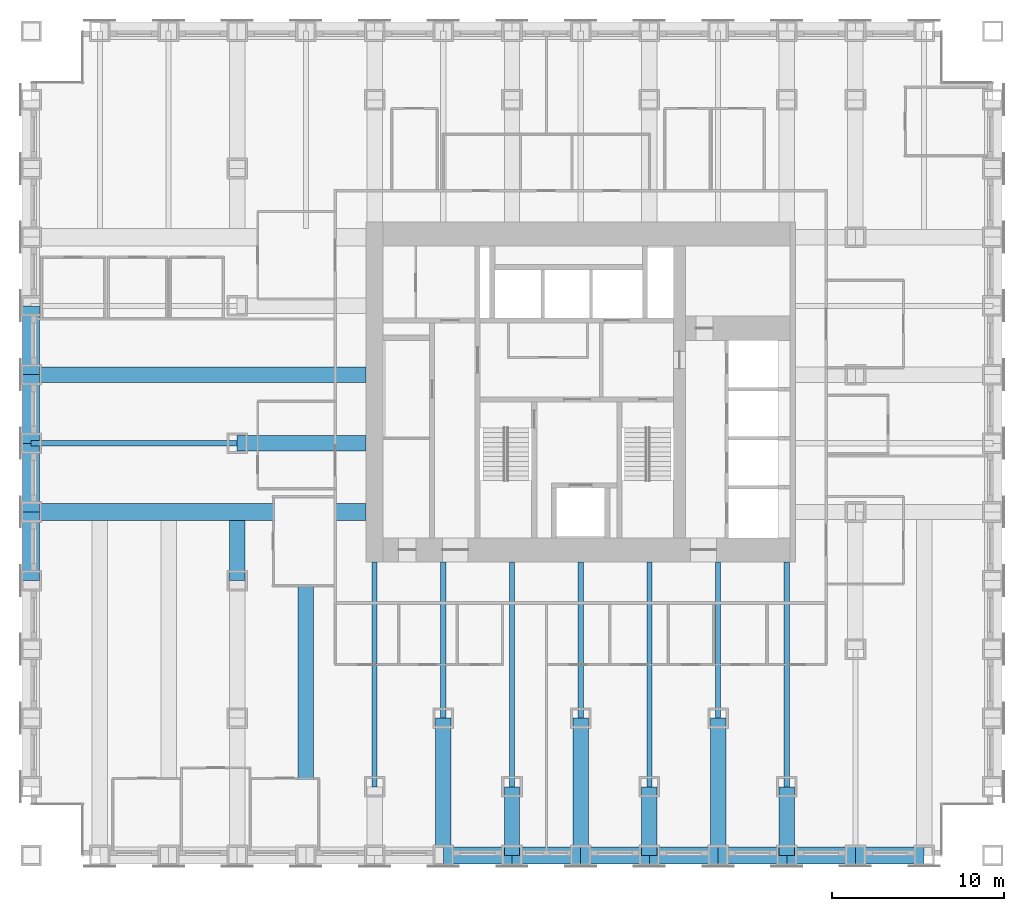
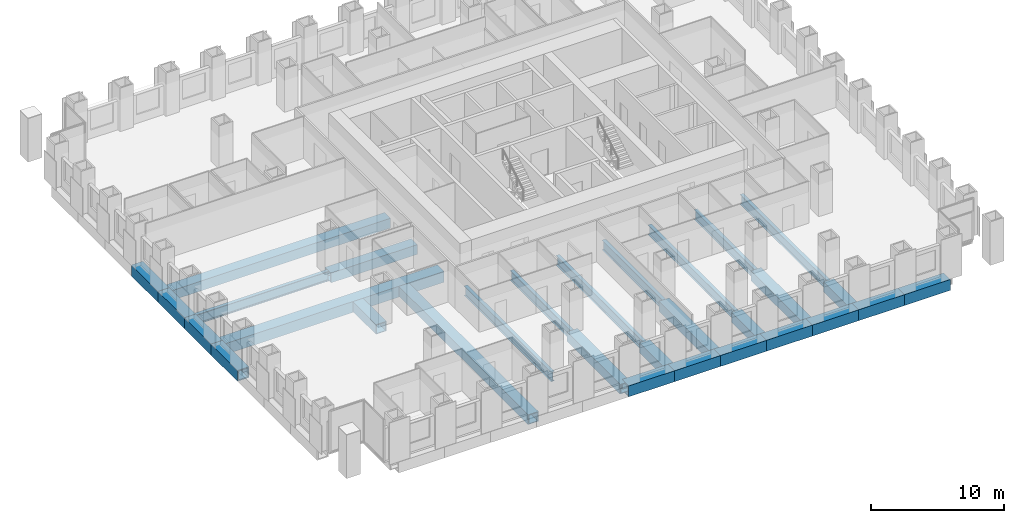
# One storey, part 3 of 15: 30 beams.
"""IFC4 building model written with IfcOpenShell, lengths in metres."""

from ifc_helpers import new_model, si_unit, direction, frame, origin, origin_2d, place, context, subcontext, project, spatial, hollow_rectangle, i_section, extrude, material, material_profile, profile_set, type_object, element, save


model = new_model("IFC4")

# Units and contexts
model_context = context("Model", 3, precision=1e-05, world=origin(), true_north=direction((0.0, 1.0)))
body_context = subcontext(model_context, "Body", "Model", "MODEL_VIEW")
ifc_project = project(units=[si_unit("LENGTHUNIT", "METRE"), si_unit("AREAUNIT", "SQUARE_METRE"), si_unit("VOLUMEUNIT", "CUBIC_METRE"), si_unit("PLANEANGLEUNIT", "RADIAN"), si_unit("MASSUNIT", "GRAM", prefix="KILO")], contexts=[model_context])

# Site, building, storey
site_placement = place(None, origin())
site = spatial("IfcSite", under=ifc_project, at=site_placement, CompositionType="ELEMENT")
building_placement = place(site_placement, origin())
building = spatial("IfcBuilding", under=site, at=building_placement, Name="Rimbunsela Tower", CompositionType="ELEMENT")
storey_placement = place(building_placement, frame((0.0, 0.0, 67.0)))
storey = spatial("IfcBuildingStorey", under=building, at=storey_placement, Name="L16", CompositionType="ELEMENT", Elevation=67.0)

# Beams
ifc_material_1 = material(Name="Steel BJ 55 (fy 410 MPa)", Category="steel")
ifc_material_profile_1 = material_profile(ifc_material_1, hollow_rectangle(XDim=1.0, YDim=1.0, WallThickness=0.10009765625, at=origin_2d()), Name="BOX 1000x1000x100")
ifc_profile_set_1 = profile_set([ifc_material_profile_1], Name="Steel BJ 55 (fy 410 MPa)")
beam_type_1 = type_object("IfcBeamType", Name="Beam BOX 1000x1000x100", PredefinedType="BEAM", material=ifc_profile_set_1)
for number, where, z_axis, x_axis, name in (
    (1, (-2.0, 16.0, -0.64990234375), (0.0, 1.0, 0.0), (-1.0, 0.0, 0.0), "Beam B3 L16"),
    (2, (-2.0, 20.0, -0.64990234375), (0.0, 1.0, 0.0), (-1.0, 0.0, 0.0), "Beam B3 L16"),
):
    element("IfcBeam", number, at=place(storey_placement, frame(where, z_axis=z_axis, x_axis=x_axis)), inside=storey, type_object=beam_type_1, Name=name, PredefinedType="BEAM", context=body_context, shape_type="SweptSolid", body=[
        extrude(hollow_rectangle(XDim=1.0, YDim=1.0, WallThickness=0.10009765625, at=origin_2d()), origin(), (0.0, 0.0, 1.0), 4.0),
    ])
beam_1_placement = place(storey_placement, frame((-2.0, 20.0, -0.64990234375), z_axis=(1.0, 0.0, 0.0), x_axis=(0.0, 1.0, 0.0)))
element("IfcBeam", 3, at=beam_1_placement, inside=storey, type_object=beam_type_1, Name="Beam B3 L16", PredefinedType="BEAM", context=body_context, shape_type="SweptSolid", body=[
    extrude(hollow_rectangle(XDim=1.0, YDim=1.0, WallThickness=0.10009765625, at=origin_2d()), origin(), (0.0, 0.0, 1.0), 19.5),
])
for number, where, z_axis, x_axis, name in (
    (4, (-2.0, 24.0, -0.64990234375), (0.0, 1.0, 0.0), (-1.0, 0.0, 0.0), "Beam B3 L16"),
    (5, (-2.0, 28.0, -0.64990234375), (0.0, 1.0, 0.0), (-1.0, 0.0, 0.0), "Beam B3 L16"),
    (6, (22.0, 0.0, -0.64990234375), (1.0, 0.0, 0.0), (0.0, 1.0, 0.0), "Beam B3 L16"),
    (7, (26.0, 0.0, -0.64990234375), (1.0, 0.0, 0.0), (0.0, 1.0, 0.0), "Beam B3 L16"),
    (8, (30.0, 0.0, -0.64990234375), (1.0, 0.0, 0.0), (0.0, 1.0, 0.0), "Beam B3 L16"),
    (9, (34.0, 0.0, -0.64990234375), (1.0, 0.0, 0.0), (0.0, 1.0, 0.0), "Beam B3 L16"),
    (10, (38.0, 0.0, -0.64990234375), (1.0, 0.0, 0.0), (0.0, 1.0, 0.0), "Beam B3 L16"),
    (11, (42.0, 0.0, -0.64990234375), (1.0, 0.0, 0.0), (0.0, 1.0, 0.0), "Beam B3 L16"),
    (12, (46.0, 0.0, -0.64990234375), (1.0, 0.0, 0.0), (0.0, 1.0, 0.0), "Beam B3 L16"),
):
    element("IfcBeam", number, at=place(storey_placement, frame(where, z_axis=z_axis, x_axis=x_axis)), inside=storey, type_object=beam_type_1, Name=name, PredefinedType="BEAM", context=body_context, shape_type="SweptSolid", body=[
        extrude(hollow_rectangle(XDim=1.0, YDim=1.0, WallThickness=0.10009765625, at=origin_2d()), origin(), (0.0, 0.0, 1.0), 4.0),
    ])
ifc_material_2 = material(Name="Steel BJ 55 (fy 410 MPa)", Category="steel")
ifc_material_profile_2 = material_profile(ifc_material_2, hollow_rectangle(XDim=0.89990234375, YDim=0.89990234375, WallThickness=0.06005859375, at=origin_2d()), Name="BOX 900x900x60")
ifc_profile_set_2 = profile_set([ifc_material_profile_2], Name="Steel BJ 55 (fy 410 MPa)")
beam_type_2 = type_object("IfcBeamType", Name="Beam BOX 900x900x60", PredefinedType="BEAM", material=ifc_profile_set_2)
beam_2_placement = place(storey_placement, frame((-2.0, 28.0, -0.60009765625), z_axis=(1.0, 0.0, 0.0), x_axis=(0.0, 1.0, 0.0)))
element("IfcBeam", 13, at=beam_2_placement, inside=storey, type_object=beam_type_2, Name="Beam B1 L16", PredefinedType="BEAM", context=body_context, shape_type="SweptSolid", body=[
    extrude(hollow_rectangle(XDim=0.89990234375, YDim=0.89990234375, WallThickness=0.06005859375, at=origin_2d()), origin(), (0.0, 0.0, 1.0), 19.5),
])
beam_3_placement = place(storey_placement, frame((10.0, 16.0, -0.60009765625), z_axis=(0.0, 1.0, 0.0), x_axis=(-1.0, 0.0, 0.0)))
element("IfcBeam", 14, at=beam_3_placement, inside=storey, type_object=beam_type_2, Name="Beam B1 L16", PredefinedType="BEAM", context=body_context, shape_type="SweptSolid", body=[
    extrude(hollow_rectangle(XDim=0.89990234375, YDim=0.89990234375, WallThickness=0.06005859375, at=origin_2d()), origin(), (0.0, 0.0, 1.0), 3.5),
])
beam_4_placement = place(storey_placement, frame((10.0, 24.0, -0.60009765625), z_axis=(1.0, 0.0, 0.0), x_axis=(0.0, 1.0, 0.0)))
element("IfcBeam", 15, at=beam_4_placement, inside=storey, type_object=beam_type_2, Name="Beam B1 L16", PredefinedType="BEAM", context=body_context, shape_type="SweptSolid", body=[
    extrude(hollow_rectangle(XDim=0.89990234375, YDim=0.89990234375, WallThickness=0.06005859375, at=origin_2d()), origin(), (0.0, 0.0, 1.0), 7.5),
])
beam_5_placement = place(storey_placement, frame((14.0, 0.0, -0.60009765625), z_axis=(0.0, 1.0, 0.0), x_axis=(-1.0, 0.0, 0.0)))
element("IfcBeam", 16, at=beam_5_placement, inside=storey, type_object=beam_type_2, Name="Beam B1 L16", PredefinedType="BEAM", context=body_context, shape_type="SweptSolid", body=[
    extrude(hollow_rectangle(XDim=0.89990234375, YDim=0.89990234375, WallThickness=0.06005859375, at=origin_2d()), origin(), (0.0, 0.0, 1.0), 19.5),
])
beam_6_placement = place(storey_placement, frame((22.0, 0.0, -0.60009765625), z_axis=(0.0, 1.0, 0.0), x_axis=(-1.0, 0.0, 0.0)))
element("IfcBeam", 17, at=beam_6_placement, inside=storey, type_object=beam_type_2, Name="Beam B1 L16", PredefinedType="BEAM", context=body_context, shape_type="SweptSolid", body=[
    extrude(hollow_rectangle(XDim=0.89990234375, YDim=0.89990234375, WallThickness=0.06005859375, at=origin_2d()), origin(), (0.0, 0.0, 1.0), 8.0),
])
beam_7_placement = place(storey_placement, frame((26.0, 0.0, -0.60009765625), z_axis=(0.0, 1.0, 0.0), x_axis=(-1.0, 0.0, 0.0)))
element("IfcBeam", 18, at=beam_7_placement, inside=storey, type_object=beam_type_2, Name="Beam B1 L16", PredefinedType="BEAM", context=body_context, shape_type="SweptSolid", body=[
    extrude(hollow_rectangle(XDim=0.89990234375, YDim=0.89990234375, WallThickness=0.06005859375, at=origin_2d()), origin(), (0.0, 0.0, 1.0), 4.0),
])
beam_8_placement = place(storey_placement, frame((30.0, 0.0, -0.60009765625), z_axis=(0.0, 1.0, 0.0), x_axis=(-1.0, 0.0, 0.0)))
element("IfcBeam", 19, at=beam_8_placement, inside=storey, type_object=beam_type_2, Name="Beam B1 L16", PredefinedType="BEAM", context=body_context, shape_type="SweptSolid", body=[
    extrude(hollow_rectangle(XDim=0.89990234375, YDim=0.89990234375, WallThickness=0.06005859375, at=origin_2d()), origin(), (0.0, 0.0, 1.0), 8.0),
])
beam_9_placement = place(storey_placement, frame((34.0, 0.0, -0.60009765625), z_axis=(0.0, 1.0, 0.0), x_axis=(-1.0, 0.0, 0.0)))
element("IfcBeam", 20, at=beam_9_placement, inside=storey, type_object=beam_type_2, Name="Beam B1 L16", PredefinedType="BEAM", context=body_context, shape_type="SweptSolid", body=[
    extrude(hollow_rectangle(XDim=0.89990234375, YDim=0.89990234375, WallThickness=0.06005859375, at=origin_2d()), origin(), (0.0, 0.0, 1.0), 4.0),
])
beam_10_placement = place(storey_placement, frame((38.0, 0.0, -0.60009765625), z_axis=(0.0, 1.0, 0.0), x_axis=(-1.0, 0.0, 0.0)))
element("IfcBeam", 21, at=beam_10_placement, inside=storey, type_object=beam_type_2, Name="Beam B1 L16", PredefinedType="BEAM", context=body_context, shape_type="SweptSolid", body=[
    extrude(hollow_rectangle(XDim=0.89990234375, YDim=0.89990234375, WallThickness=0.06005859375, at=origin_2d()), origin(), (0.0, 0.0, 1.0), 8.0),
])
beam_11_placement = place(storey_placement, frame((42.0, 0.0, -0.60009765625), z_axis=(0.0, 1.0, 0.0), x_axis=(-1.0, 0.0, 0.0)))
element("IfcBeam", 22, at=beam_11_placement, inside=storey, type_object=beam_type_2, Name="Beam B1 L16", PredefinedType="BEAM", context=body_context, shape_type="SweptSolid", body=[
    extrude(hollow_rectangle(XDim=0.89990234375, YDim=0.89990234375, WallThickness=0.06005859375, at=origin_2d()), origin(), (0.0, 0.0, 1.0), 4.0),
])
ifc_material_3 = material(Name="Steel BJ 55 (fy 410 MPa)", Category="steel")
ifc_material_profile_3 = material_profile(ifc_material_3, i_section(OverallWidth=0.300048828125, OverallDepth=0.89990234375, WebThickness=0.01611328125, FlangeThickness=0.028076171875, FilletRadius=0.028076171875, at=origin_2d()), Name="H 900x300x16x28")
ifc_profile_set_3 = profile_set([ifc_material_profile_3], Name="Steel BJ 55 (fy 410 MPa)")
beam_type_3 = type_object("IfcBeamType", Name="Beam H 900x300x16x28", PredefinedType="BEAM", material=ifc_profile_set_3)
beam_12_placement = place(storey_placement, frame((-2.0, 24.0, -0.60009765625), z_axis=(1.0, 0.0, 0.0), x_axis=(0.0, 1.0, 0.0)))
element("IfcBeam", 23, at=beam_12_placement, inside=storey, type_object=beam_type_3, Name="Beam B2 L16", PredefinedType="BEAM", context=body_context, shape_type="SweptSolid", body=[
    extrude(i_section(OverallWidth=0.300048828125, OverallDepth=0.89990234375, WebThickness=0.01611328125, FlangeThickness=0.028076171875, FilletRadius=0.028076171875, at=origin_2d()), origin(), (0.0, 0.0, 1.0), 12.0),
])
beam_13_placement = place(storey_placement, frame((18.0, 4.0, -0.60009765625), z_axis=(0.0, 1.0, 0.0), x_axis=(-1.0, 0.0, 0.0)))
element("IfcBeam", 24, at=beam_13_placement, inside=storey, type_object=beam_type_3, Name="Beam B2 L16", PredefinedType="BEAM", context=body_context, shape_type="SweptSolid", body=[
    extrude(i_section(OverallWidth=0.300048828125, OverallDepth=0.89990234375, WebThickness=0.01611328125, FlangeThickness=0.028076171875, FilletRadius=0.028076171875, at=origin_2d()), origin(), (0.0, 0.0, 1.0), 13.10009765625),
])
beam_14_placement = place(storey_placement, frame((22.0, 8.0, -0.60009765625), z_axis=(0.0, 1.0, 0.0), x_axis=(-1.0, 0.0, 0.0)))
element("IfcBeam", 25, at=beam_14_placement, inside=storey, type_object=beam_type_3, Name="Beam B2 L16", PredefinedType="BEAM", context=body_context, shape_type="SweptSolid", body=[
    extrude(i_section(OverallWidth=0.300048828125, OverallDepth=0.89990234375, WebThickness=0.01611328125, FlangeThickness=0.028076171875, FilletRadius=0.028076171875, at=origin_2d()), origin(), (0.0, 0.0, 1.0), 9.10009765625),
])
beam_15_placement = place(storey_placement, frame((26.0, 4.0, -0.60009765625), z_axis=(0.0, 1.0, 0.0), x_axis=(-1.0, 0.0, 0.0)))
element("IfcBeam", 26, at=beam_15_placement, inside=storey, type_object=beam_type_3, Name="Beam B2 L16", PredefinedType="BEAM", context=body_context, shape_type="SweptSolid", body=[
    extrude(i_section(OverallWidth=0.300048828125, OverallDepth=0.89990234375, WebThickness=0.01611328125, FlangeThickness=0.028076171875, FilletRadius=0.028076171875, at=origin_2d()), origin(), (0.0, 0.0, 1.0), 13.10009765625),
])
beam_16_placement = place(storey_placement, frame((30.0, 8.0, -0.60009765625), z_axis=(0.0, 1.0, 0.0), x_axis=(-1.0, 0.0, 0.0)))
element("IfcBeam", 27, at=beam_16_placement, inside=storey, type_object=beam_type_3, Name="Beam B2 L16", PredefinedType="BEAM", context=body_context, shape_type="SweptSolid", body=[
    extrude(i_section(OverallWidth=0.300048828125, OverallDepth=0.89990234375, WebThickness=0.01611328125, FlangeThickness=0.028076171875, FilletRadius=0.028076171875, at=origin_2d()), origin(), (0.0, 0.0, 1.0), 9.10009765625),
])
beam_17_placement = place(storey_placement, frame((34.0, 4.0, -0.60009765625), z_axis=(0.0, 1.0, 0.0), x_axis=(-1.0, 0.0, 0.0)))
element("IfcBeam", 28, at=beam_17_placement, inside=storey, type_object=beam_type_3, Name="Beam B2 L16", PredefinedType="BEAM", context=body_context, shape_type="SweptSolid", body=[
    extrude(i_section(OverallWidth=0.300048828125, OverallDepth=0.89990234375, WebThickness=0.01611328125, FlangeThickness=0.028076171875, FilletRadius=0.028076171875, at=origin_2d()), origin(), (0.0, 0.0, 1.0), 13.10009765625),
])
beam_18_placement = place(storey_placement, frame((38.0, 8.0, -0.60009765625), z_axis=(0.0, 1.0, 0.0), x_axis=(-1.0, 0.0, 0.0)))
element("IfcBeam", 29, at=beam_18_placement, inside=storey, type_object=beam_type_3, Name="Beam B2 L16", PredefinedType="BEAM", context=body_context, shape_type="SweptSolid", body=[
    extrude(i_section(OverallWidth=0.300048828125, OverallDepth=0.89990234375, WebThickness=0.01611328125, FlangeThickness=0.028076171875, FilletRadius=0.028076171875, at=origin_2d()), origin(), (0.0, 0.0, 1.0), 9.10009765625),
])
beam_19_placement = place(storey_placement, frame((42.0, 4.0, -0.60009765625), z_axis=(0.0, 1.0, 0.0), x_axis=(-1.0, 0.0, 0.0)))
element("IfcBeam", 30, at=beam_19_placement, inside=storey, type_object=beam_type_3, Name="Beam B2 L16", PredefinedType="BEAM", context=body_context, shape_type="SweptSolid", body=[
    extrude(i_section(OverallWidth=0.300048828125, OverallDepth=0.89990234375, WebThickness=0.01611328125, FlangeThickness=0.028076171875, FilletRadius=0.028076171875, at=origin_2d()), origin(), (0.0, 0.0, 1.0), 13.10009765625),
])

save(model, "model.ifc")
